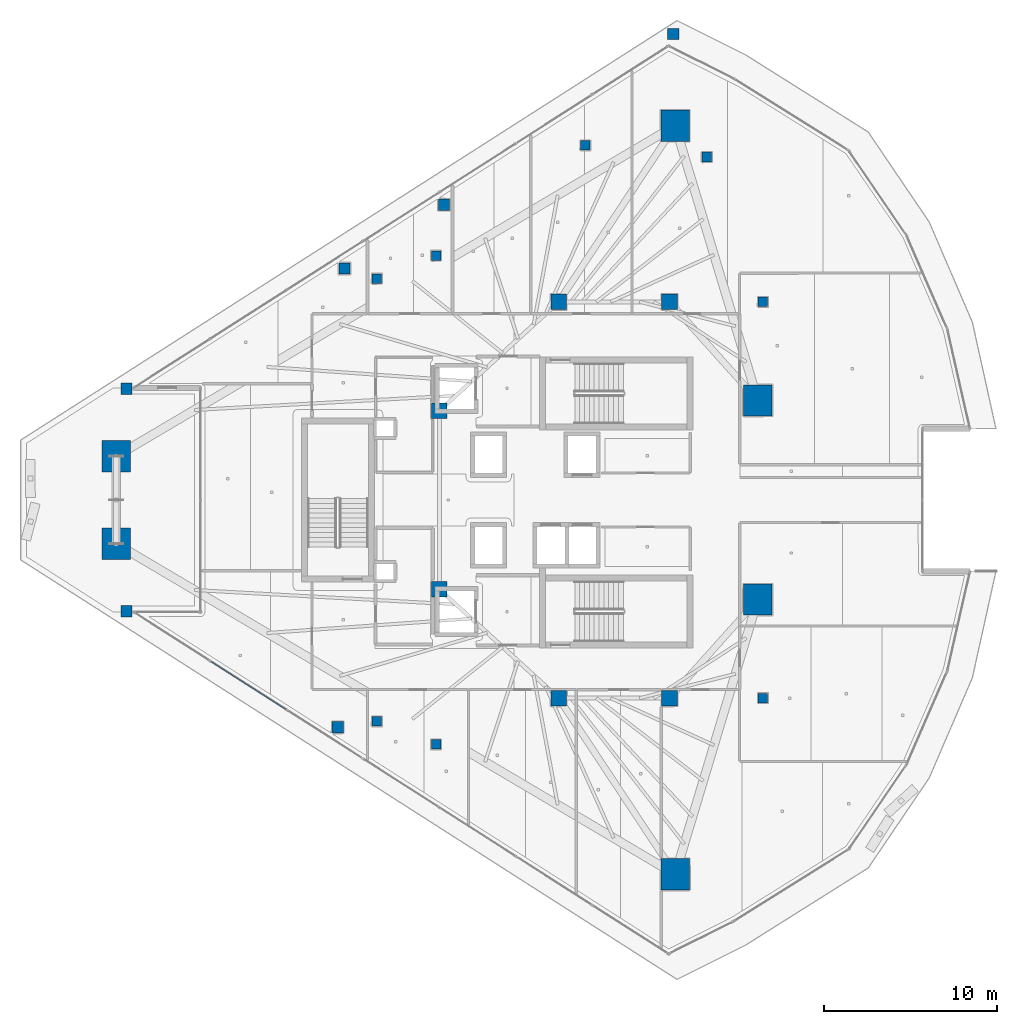
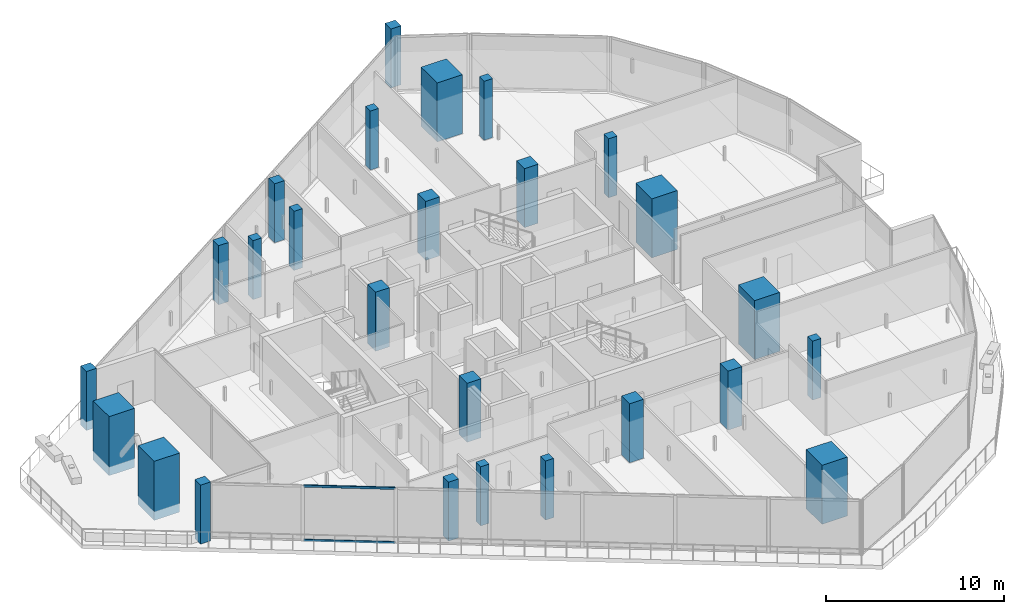
# One storey, part 1 of 32: 26 columns, 2 members, 1 element without a shape of its own.
"""IFC4 building model written with IfcOpenShell, lengths in metres."""

from ifc_helpers import new_model, si_unit, direction, frame, origin, origin_2d, place, context, subcontext, project, spatial, rectangle, hollow_rectangle, extrude, material, layer, layer_set, material_profile, profile_set, type_object, element, aggregate, save


model = new_model("IFC4")

# Units and contexts
model_context = context("Model", 3, precision=1e-05, world=origin(), true_north=direction((0.0, 1.0)))
body_context = subcontext(model_context, "Body", "Model", "MODEL_VIEW")
ifc_project = project(units=[si_unit("LENGTHUNIT", "METRE"), si_unit("AREAUNIT", "SQUARE_METRE"), si_unit("VOLUMEUNIT", "CUBIC_METRE"), si_unit("PLANEANGLEUNIT", "RADIAN"), si_unit("MASSUNIT", "GRAM", prefix="KILO")], contexts=[model_context])

# Site, building, storey
site_placement = place(None, origin())
site = spatial("IfcSite", under=ifc_project, at=site_placement, CompositionType="ELEMENT")
building_placement = place(site_placement, origin())
building = spatial("IfcBuilding", under=site, at=building_placement, Name="Qorvath Tower", CompositionType="ELEMENT")
storey_placement = place(building_placement, frame((0.0, 0.0, 233.39990234375)))
storey = spatial("IfcBuildingStorey", under=building, at=storey_placement, Name="L54", CompositionType="ELEMENT", Elevation=233.39990234375)

# Columns
ifc_material_1 = material(Name="Concrete C60/75", Category="concrete")
ifc_material_profile_1 = material_profile(ifc_material_1, rectangle(XDim=1.64990234375, YDim=1.800048828125, at=origin_2d()), Name="MC 1800x1650")
ifc_profile_set_1 = profile_set([ifc_material_profile_1], Name="Concrete C60/75")
column_type_1 = type_object("IfcColumnType", Name="COL-MC4", PredefinedType="COLUMN", material=ifc_profile_set_1)
for number, where, z_axis, x_axis, name in (
    (1, (-49.171875, 2.52783203125, 0.0), (0.0, 0.0, 1.0), (1.0, 0.0, 0.0), "Composite Mega-Column MC1 L54"),
    (2, (-49.171875, -2.52783203125, 0.0), (0.0, 0.0, 1.0), (1.0, 0.0, 0.0), "Composite Mega-Column MC2 L54"),
    (3, (-16.87158203125, -21.627197265625, 0.0), (0.0, 0.0, 1.0), (1.0, 0.0, 0.0), "Composite Mega-Column MC3 L54"),
    (4, (-12.0966796875, -5.7578125, 0.0), (0.0, 0.0, 1.0), (1.0, 0.0, 0.0), "Composite Mega-Column MC4 L54"),
    (5, (-12.0966796875, 5.7578125, 0.0), (0.0, 0.0, 1.0), (1.0, 0.0, 0.0), "Composite Mega-Column MC5 L54"),
    (6, (-16.87158203125, 21.627197265625, 0.0), (0.0, 0.0, 1.0), (1.0, 0.0, 0.0), "Composite Mega-Column MC6 L54"),
):
    element("IfcColumn", number, at=place(storey_placement, frame(where, z_axis=z_axis, x_axis=x_axis)), inside=storey, type_object=column_type_1, Name=name, PredefinedType="COLUMN", context=body_context, shape_type="SweptSolid", body=[
        extrude(rectangle(XDim=1.64990234375, YDim=1.800048828125, at=origin_2d()), origin(), (0.0, 0.0, 1.0), 4.050048828125),
    ])
ifc_material_2 = material(Name="Concrete C50/60", Category="concrete")
ifc_material_profile_2 = material_profile(ifc_material_2, rectangle(XDim=0.89990234375, YDim=0.89990234375, at=origin_2d()), Name="RC 900x900")
ifc_profile_set_2 = profile_set([ifc_material_profile_2], Name="Concrete C50/60")
column_type_2 = type_object("IfcColumnType", Name="COL-RC3", PredefinedType="COLUMN", material=ifc_profile_set_2)
for number, where, z_axis, x_axis, name in (
    (7, (-23.60009765625, 11.449951171875, 0.0), (0.0, 0.0, 1.0), (1.0, 0.0, 0.0), "Core Spine Column CC1 L54"),
    (8, (-17.199951171875, 11.449951171875, 0.0), (0.0, 0.0, 1.0), (1.0, 0.0, 0.0), "Core Spine Column CC2 L54"),
    (9, (-17.199951171875, -11.449951171875, 0.0), (0.0, 0.0, 1.0), (1.0, 0.0, 0.0), "Core Spine Column CC3 L54"),
    (10, (-23.60009765625, -11.449951171875, 0.0), (0.0, 0.0, 1.0), (1.0, 0.0, 0.0), "Core Spine Column CC4 L54"),
    (11, (-30.5, 5.14990234375, 0.0), (0.0, 0.0, 1.0), (1.0, 0.0, 0.0), "Core Spine Column CC5 L54"),
    (12, (-30.5, -5.14990234375, 0.0), (0.0, 0.0, 1.0), (1.0, 0.0, 0.0), "Core Spine Column CC6 L54"),
):
    element("IfcColumn", number, at=place(storey_placement, frame(where, z_axis=z_axis, x_axis=x_axis)), inside=storey, type_object=column_type_2, Name=name, PredefinedType="COLUMN", context=body_context, shape_type="SweptSolid", body=[
        extrude(rectangle(XDim=0.89990234375, YDim=0.89990234375, at=origin_2d()), origin(), (0.0, 0.0, 1.0), 4.050048828125),
    ])
ifc_material_3 = material(Name="Concrete C45/55", Category="concrete")
ifc_material_profile_3 = material_profile(ifc_material_3, rectangle(XDim=0.64990234375, YDim=0.64990234375, at=origin_2d()), Name="RC 650x650")
ifc_profile_set_3 = profile_set([ifc_material_profile_3], Name="Concrete C45/55")
column_type_3 = type_object("IfcColumnType", Name="COL-RC6", PredefinedType="COLUMN", material=ifc_profile_set_3)
for number, where, z_axis, x_axis, name in (
    (13, (-48.578369140625, 6.424560546875, 0.0), (0.0, 0.0, 1.0), (1.0, 0.0, 0.0), "Loggia Frame Pier Column LGE1 L54"),
    (14, (-48.578369140625, -6.424560546875, 0.0), (0.0, 0.0, 1.0), (1.0, 0.0, 0.0), "Loggia Frame Pier Column LGE2 L54"),
    (15, (-16.981201171875, 26.92919921875, 0.0), (0.0, 0.0, 1.0), (1.0, 0.0, 0.0), "Loggia Frame Pier Column LGE3 L54"),
    (16, (-35.980712890625, 13.380859375, 0.0), (0.0, 0.0, 1.0), (1.0, 0.0, 0.0), "Loggia Frame Pier Column LGF1 L54"),
    (17, (-36.36474609375, -13.135498046875, 0.0), (0.0, 0.0, 1.0), (1.0, 0.0, 0.0), "Loggia Frame Pier Column LGF2 L54"),
    (18, (-30.224853515625, 17.0595703125, 0.0), (0.0, 0.0, 1.0), (1.0, 0.0, 0.0), "Loggia Frame Pier Column LGF3 L54"),
):
    element("IfcColumn", number, at=place(storey_placement, frame(where, z_axis=z_axis, x_axis=x_axis)), inside=storey, type_object=column_type_3, Name=name, PredefinedType="COLUMN", context=body_context, shape_type="SweptSolid", body=[
        extrude(rectangle(XDim=0.64990234375, YDim=0.64990234375, at=origin_2d()), origin(), (0.0, 0.0, 1.0), 4.050048828125),
    ])
ifc_material_4 = material(Name="Concrete C45/55", Category="concrete")
ifc_material_profile_4 = material_profile(ifc_material_4, rectangle(XDim=0.550048828125, YDim=0.550048828125, at=origin_2d()), Name="RC 550x550")
ifc_profile_set_4 = profile_set([ifc_material_profile_4], Name="Concrete C45/55")
column_type_4 = type_object("IfcColumnType", Name="COL-RC7", PredefinedType="COLUMN", material=ifc_profile_set_4)
for number, where, z_axis, x_axis, name in (
    (19, (-34.104248046875, 12.79248046875, 0.0), (0.0, 0.0, 1.0), (1.0, 0.0, 0.0), "Loggia Frame Pier Column LGG1 L54"),
    (20, (-34.104248046875, -12.79248046875, 0.0), (0.0, 0.0, 1.0), (1.0, 0.0, 0.0), "Loggia Frame Pier Column LGG2 L54"),
    (21, (-22.05322265625, 20.494873046875, 0.0), (0.0, 0.0, 1.0), (1.0, 0.0, 0.0), "Loggia Frame Pier Column LGG3 L54"),
    (22, (-30.67724609375, 14.124267578125, 0.0), (0.0, 0.0, 1.0), (1.0, 0.0, 0.0), "Loggia Frame Pier Column LGH1 L54"),
    (23, (-30.67724609375, -14.124267578125, 0.0), (0.0, 0.0, 1.0), (1.0, 0.0, 0.0), "Loggia Frame Pier Column LGH2 L54"),
    (24, (-15.046142578125, 19.818115234375, 0.0), (0.0, 0.0, 1.0), (1.0, 0.0, 0.0), "Loggia Frame Pier Column LGH3 L54"),
    (25, (-11.800048828125, -11.449951171875, 0.0), (0.0, 0.0, 1.0), (1.0, 0.0, 0.0), "Central Slot Jamb Column SC1 L54"),
    (26, (-11.800048828125, 11.449951171875, 0.0), (0.0, 0.0, 1.0), (1.0, 0.0, 0.0), "Central Slot Jamb Column SC2 L54"),
):
    element("IfcColumn", number, at=place(storey_placement, frame(where, z_axis=z_axis, x_axis=x_axis)), inside=storey, type_object=column_type_4, Name=name, PredefinedType="COLUMN", context=body_context, shape_type="SweptSolid", body=[
        extrude(rectangle(XDim=0.550048828125, YDim=0.550048828125, at=origin_2d()), origin(), (0.0, 0.0, 1.0), 4.050048828125),
    ])

# Curtain wall, members
ifc_material_5 = material(Name="Anodised aluminium and triple low-E glass", Category="aluminium")
ifc_layer = layer(ifc_material_5, 0.179931640625)
ifc_layer_set = layer_set([ifc_layer], Name="CW-SYS-5")
curtain_wall_type = type_object("IfcCurtainWallType", Name="CW-SYS-5", PredefinedType="NOTDEFINED", material=ifc_layer_set)
curtain_wall_placement = place(storey_placement, origin())
curtain_wall = element("IfcCurtainWall", 27, at=curtain_wall_placement, inside=storey, type_object=curtain_wall_type, Name="Curtain Wall CW-5 CW-T-L54-4.1", PredefinedType="NOTDEFINED")
ifc_material_6 = material(Name="Anodised aluminium 6063-T6", Category="aluminium")
ifc_material_profile_5 = material_profile(ifc_material_6, hollow_rectangle(XDim=0.06494140625, YDim=0.159912109375, WallThickness=0.00341796875, InnerFilletRadius=0.00341796875, OuterFilletRadius=0.007080078125, at=origin_2d()), Name="CWT 160x65")
ifc_profile_set_5 = profile_set([ifc_material_profile_5], Name="Anodised aluminium 6063-T6")
member_type = type_object("IfcMemberType", Name="CWT-160", PredefinedType="USERDEFINED", material=ifc_profile_set_5)
member_1_placement = place(storey_placement, frame((-43.71533203125, -9.319091796875, 0.032470703125), z_axis=(0.842614632309, -0.538517020548, 0.0), x_axis=(0.538517020548, 0.842614632309, 0.0)))
member_1 = element("IfcMember", 28, at=member_1_placement, type_object=member_type, Name="CW-5 transom 2.1", ObjectType="TRANSOM", PredefinedType="USERDEFINED", context=body_context, shape_type="SweptSolid", body=[
    extrude(hollow_rectangle(XDim=0.06494140625, YDim=0.159912109375, WallThickness=0.00341796875, InnerFilletRadius=0.00341796875, OuterFilletRadius=0.007080078125, at=origin_2d()), origin(), (0.0, 0.0, 1.0), 5.16455078125),
])
member_2_placement = place(storey_placement, frame((-43.71533203125, -9.319091796875, 3.74755859375), z_axis=(0.842614632309, -0.538517020548, 0.0), x_axis=(0.538517020548, 0.842614632309, 0.0)))
member_2 = element("IfcMember", 29, at=member_2_placement, type_object=member_type, Name="CW-5 transom 2.2", ObjectType="TRANSOM", PredefinedType="USERDEFINED", context=body_context, shape_type="SweptSolid", body=[
    extrude(hollow_rectangle(XDim=0.06494140625, YDim=0.159912109375, WallThickness=0.00341796875, InnerFilletRadius=0.00341796875, OuterFilletRadius=0.007080078125, at=origin_2d()), origin(), (0.0, 0.0, 1.0), 5.16455078125),
])
aggregate(curtain_wall, [member_1, member_2])

save(model, "model.ifc")
